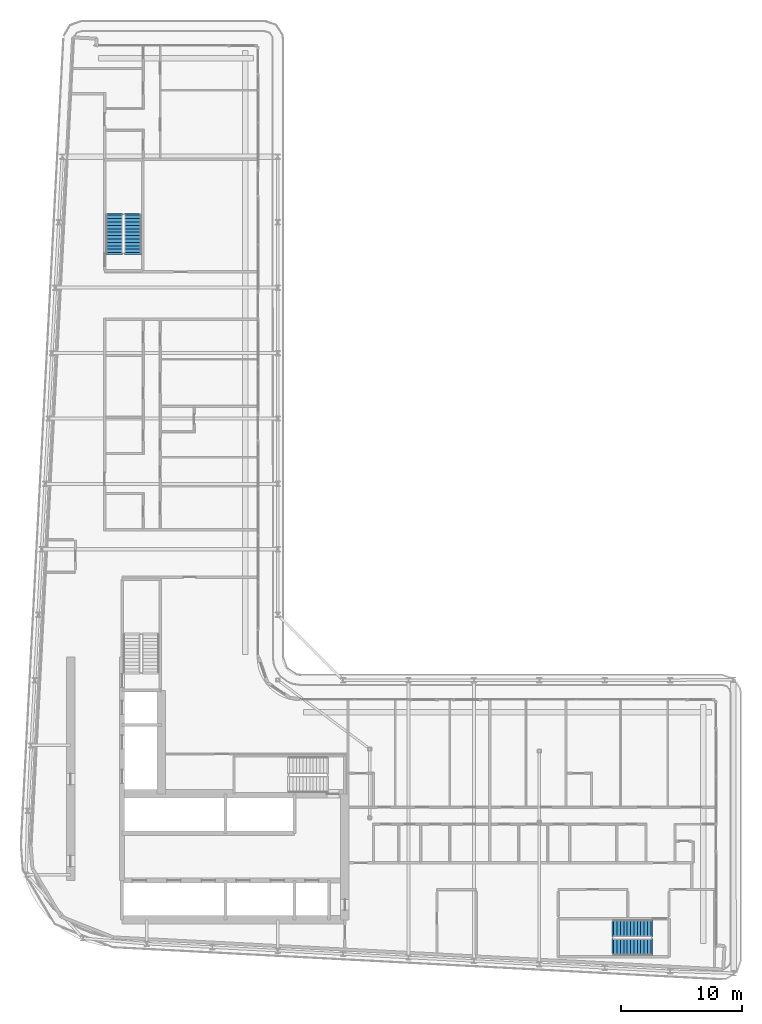
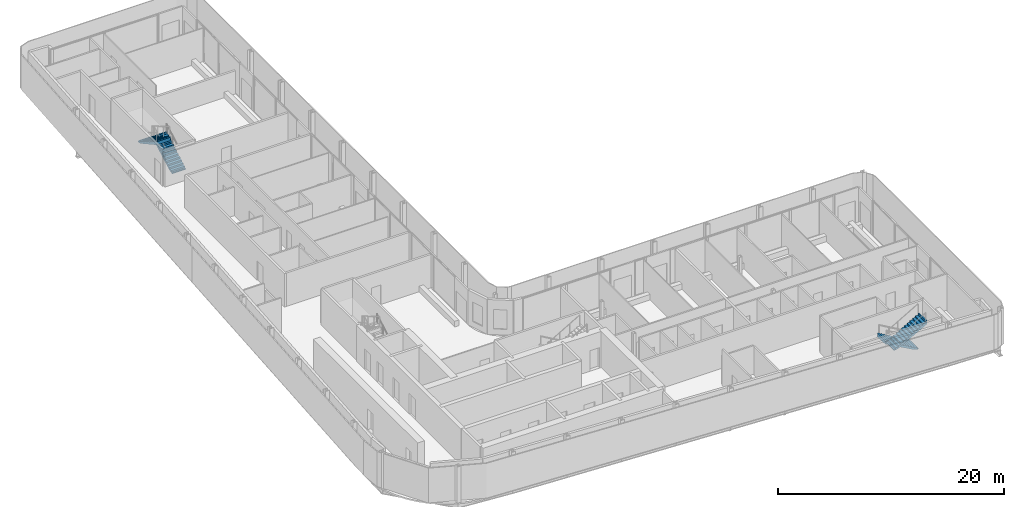
# One storey, part 16 of 23: 4 stair flights, 2 elements without a shape of their own.
"""IFC4 building model written with IfcOpenShell, lengths in metres."""

import ifcopenshell
import ifcopenshell.guid

model = None  # the IFC model being written
_history = None  # IfcOwnerHistory: only IFC2X3 demands one
_inside = {}  # id of a spatial element -> (the spatial element, [elements in it])
_under = {}  # id of a project, library or spatial element -> (it, [spatial elements below it])
_declared = {}  # id of a project -> (the project, [libraries it declares])
_typed = {}  # id of a type object -> (the type object, [elements of that type])
_made_of = {}  # id of a material, layer set ... -> (it, [elements and type objects made of it])


def new_model(schema):
    """Start an empty IFC model of exactly this schema.

    Asked for "IFC4X3", IfcOpenShell would pick the latest addendum, in which some entities
    have other attributes; the version numbers below select the first issue.
    IFC2X3 requires an IfcOwnerHistory on every rooted entity: one is made here for all.
    """
    global model, _history
    if schema == "IFC4X3":
        model = ifcopenshell.file(schema_version=(4, 3, 0, 0))
    else:
        model = ifcopenshell.file(schema=schema)
    _inside.clear()
    _under.clear()
    _declared.clear()
    _typed.clear()
    _made_of.clear()
    _history = None
    if model.schema == "IFC2X3":
        org = make("IfcOrganization", Name="unknown")
        user = make(
            "IfcPersonAndOrganization",
            ThePerson=make("IfcPerson", FamilyName="unknown"),
            TheOrganization=org,
        )
        app = make(
            "IfcApplication",
            ApplicationDeveloper=org,
            Version="unknown",
            ApplicationFullName="unknown",
            ApplicationIdentifier="unknown",
        )
        _history = make(
            "IfcOwnerHistory",
            OwningUser=user,
            OwningApplication=app,
            ChangeAction="ADDED",
            CreationDate=0,
        )
    return model


def make(cls, **values):
    """One entity of the class cls with the attributes given. An attribute that is None is left unset."""
    return model.create_entity(
        cls, **{name: value for name, value in values.items() if value is not None}
    )


def rooted(cls, **values):
    """An entity with a GlobalId (a new one), such as an element, a storey or a relation."""
    return make(cls, GlobalId=ifcopenshell.guid.new(), OwnerHistory=_history, **values)


def si_unit(unit_type, name, prefix=None):
    """IfcSIUnit, for example si_unit("LENGTHUNIT", "METRE", prefix="MILLI")."""
    return make("IfcSIUnit", UnitType=unit_type, Prefix=prefix, Name=name)


def assignment(units):
    """IfcUnitAssignment: the units of a project."""
    return None if units is None else make("IfcUnitAssignment", Units=units)


def point(xyz):
    """IfcCartesianPoint."""
    return None if xyz is None else make("IfcCartesianPoint", Coordinates=xyz)


def direction(xyz):
    """IfcDirection."""
    return None if xyz is None else make("IfcDirection", DirectionRatios=xyz)


def frame(location, z_axis=None, x_axis=None):
    """IfcAxis2Placement3D, a coordinate frame: its origin and axes. An axis left out is left unset."""
    return make(
        "IfcAxis2Placement3D",
        Location=point(location),
        Axis=direction(z_axis),
        RefDirection=direction(x_axis),
    )


def origin():
    """The frame at (0, 0, 0) with its axes left unset."""
    return frame((0.0, 0.0, 0.0))


def place(relative_to, where):
    """IfcLocalPlacement: puts the frame where relative to a parent placement (None: the world)."""
    return make(
        "IfcLocalPlacement", PlacementRelTo=relative_to, RelativePlacement=where
    )


def context(
    kind, dimensions, precision=None, world=None, true_north=None, identifier=None
):
    """IfcGeometricRepresentationContext, for example the 3D "Model" context."""
    return make(
        "IfcGeometricRepresentationContext",
        ContextIdentifier=identifier,
        ContextType=kind,
        CoordinateSpaceDimension=dimensions,
        Precision=precision,
        WorldCoordinateSystem=world,
        TrueNorth=true_north,
    )


def subcontext(parent, identifier, kind, view, scale=None):
    """IfcGeometricRepresentationSubContext, for example "Body" below "Model"."""
    return make(
        "IfcGeometricRepresentationSubContext",
        ContextIdentifier=identifier,
        ContextType=kind,
        ParentContext=parent,
        TargetScale=scale,
        TargetView=view,
    )


def project(units=None, contexts=None):
    """IfcProject with its units and contexts."""
    return rooted(
        "IfcProject",
        Name="project",
        RepresentationContexts=contexts,
        UnitsInContext=assignment(units),
    )


def spatial(cls, under=None, at=None, **own):
    """A site, building, storey or space (cls), placed at a placement, below another one or the project."""
    s = rooted(cls, ObjectPlacement=at, **own)
    if under is not None:
        _under.setdefault(under.id(), (under, []))[1].append(s)
    return s


def polyline(points):
    """IfcPolyline through the points."""
    return make("IfcPolyline", Points=[point(p) for p in points])


def outline(outer, holes=None, kind="AREA"):
    """IfcArbitraryClosedProfileDef: a profile drawn as a closed curve; with holes, ...WithVoids."""
    if holes is None:
        return make("IfcArbitraryClosedProfileDef", ProfileType=kind, OuterCurve=outer)
    return make(
        "IfcArbitraryProfileDefWithVoids",
        ProfileType=kind,
        OuterCurve=outer,
        InnerCurves=holes,
    )


def extrude(swept, where, along, depth):
    """IfcExtrudedAreaSolid: the profile swept, set in the frame where, extruded along a direction by depth."""
    return make(
        "IfcExtrudedAreaSolid",
        SweptArea=swept,
        Position=where,
        ExtrudedDirection=direction(along),
        Depth=depth,
    )


def shape(context_of_items, identifier, shape_type, items):
    """IfcShapeRepresentation: the items that make up one representation, for example the "Body"."""
    return make(
        "IfcShapeRepresentation",
        ContextOfItems=context_of_items,
        RepresentationIdentifier=identifier,
        RepresentationType=shape_type,
        Items=items,
    )


def material(Name=None, Category=None):
    """IfcMaterial."""
    return make("IfcMaterial", Name=Name, Category=Category)


def layer(
    of_material, thickness, ventilated=None, Name=None, Category=None, Priority=None
):
    """IfcMaterialLayer: one layer of a wall or slab, of a material (None: an air gap)."""
    return make(
        "IfcMaterialLayer",
        Material=of_material,
        LayerThickness=thickness,
        IsVentilated=ventilated,
        Name=Name,
        Category=Category,
        Priority=Priority,
    )


def layer_set(layers, Name=None):
    """IfcMaterialLayerSet."""
    return make("IfcMaterialLayerSet", MaterialLayers=layers, LayerSetName=Name)


def made_of(thing, what):
    """Note that an element or type object is made of a material, layer set ...; save() writes the relation."""
    if what is not None:
        _made_of.setdefault(what.id(), (what, []))[1].append(thing)
    return thing


def type_object(cls, material=None, **own):
    """A type object (cls), such as IfcWallType, which elements share."""
    return made_of(rooted(cls, **own), material)


def element(
    cls,
    number,
    at=None,
    inside=None,
    cuts=None,
    type_object=None,
    material=None,
    context=None,
    identifier="Body",
    shape_type=None,
    held_by="IfcProductDefinitionShape",
    body=None,
    shapes=None,
    **own,
):
    """One element of the class cls, such as IfcWall. Its Tag is "e" and its number.

    at: its placement. inside: the storey or other place that contains it. cuts: it is an
    opening in that element (IfcRelVoidsElement). A single representation is given by context,
    identifier, shape_type and body (its items); several are given by shapes. held_by: the class
    of the entity that holds the representations. save() writes the other relations.
    """
    e = rooted(cls, Tag="e%d" % number, ObjectPlacement=at, **own)
    if body is not None:
        shapes = [shape(context, identifier, shape_type, body)]
    if shapes is not None:
        e.Representation = make(held_by, Representations=shapes)
    if inside is not None:
        _inside.setdefault(inside.id(), (inside, []))[1].append(e)
    if cuts is not None:
        rooted(
            "IfcRelVoidsElement", RelatingBuildingElement=cuts, RelatedOpeningElement=e
        )
    if type_object is not None:
        _typed.setdefault(type_object.id(), (type_object, []))[1].append(e)
    return made_of(e, material)


def aggregate(whole, parts):
    """IfcRelAggregates: a whole, such as a stair, and the parts it consists of."""
    return rooted("IfcRelAggregates", RelatingObject=whole, RelatedObjects=parts)


def save(model, path):
    """Write the relations noted so far, then the file.

    IfcRelAggregates (storeys below a building ...), IfcRelContainedInSpatialStructure (elements
    in a storey), IfcRelDefinesByType, IfcRelAssociatesMaterial and IfcRelDeclares: one each for
    every whole, place, type object, material and project.
    """
    for whole, parts in _under.values():
        aggregate(whole, parts)
    for where, things in _inside.values():
        rooted(
            "IfcRelContainedInSpatialStructure",
            RelatedElements=things,
            RelatingStructure=where,
        )
    for kind, things in _typed.values():
        rooted("IfcRelDefinesByType", RelatedObjects=things, RelatingType=kind)
    for what, things in _made_of.values():
        rooted("IfcRelAssociatesMaterial", RelatedObjects=things, RelatingMaterial=what)
    for by, libraries in _declared.values():
        rooted("IfcRelDeclares", RelatingContext=by, RelatedDefinitions=libraries)
    model.write(path)


model = new_model("IFC4")

# Units and contexts
model_context = context("Model", 3, precision=1e-05, world=origin(), true_north=direction((0.0, 1.0)))
body_context = subcontext(model_context, "Body", "Model", "MODEL_VIEW")
ifc_project = project(units=[si_unit("LENGTHUNIT", "METRE"), si_unit("AREAUNIT", "SQUARE_METRE"), si_unit("VOLUMEUNIT", "CUBIC_METRE"), si_unit("PLANEANGLEUNIT", "RADIAN"), si_unit("MASSUNIT", "GRAM", prefix="KILO")], contexts=[model_context])

# Site, building, storey
site_placement = place(None, origin())
site = spatial("IfcSite", under=ifc_project, at=site_placement, CompositionType="ELEMENT")
building_placement = place(site_placement, origin())
building = spatial("IfcBuilding", under=site, at=building_placement, Name="Kheshtan School and Residences Tower", CompositionType="ELEMENT")
storey_placement = place(building_placement, frame((0.0, 0.0, 259.10009765625)))
storey = spatial("IfcBuildingStorey", under=building, at=storey_placement, Name="L61", CompositionType="ELEMENT", Elevation=259.10009765625)

# Stair, stair flights
ifc_material = material(Name="Concrete C40/50", Category="concrete")
stair_type = type_object("IfcStairType", Name="Exit stair, half-turn", PredefinedType="HALF_TURN_STAIR", material=ifc_material)
stair_1_placement = place(storey_placement, origin())
stair_1 = element("IfcStair", 1, at=stair_1_placement, inside=storey, type_object=stair_type, Name="L61 Protected Exit Stair ST3", PredefinedType="HALF_TURN_STAIR")
ifc_layer = layer(ifc_material, 0.14990234375)
ifc_layer_set = layer_set([ifc_layer], Name="Stair flight 1400 Concrete C40/50")
stair_flight_type = type_object("IfcStairFlightType", Name="Stair flight 1400 Concrete C40/50", PredefinedType="STRAIGHT", material=ifc_layer_set)
stair_flight_1_placement = place(storey_placement, frame((35.64990234375, 80.89990234375, 0.0), z_axis=(0.0, 0.0, 1.0), x_axis=(0.0, 1.0, 0.0)))
stair_flight_1 = element("IfcStairFlight", 2, at=stair_flight_1_placement, type_object=stair_flight_type, Name="ST3 flight 1", NumberOfRisers=12, NumberOfTreads=11, PredefinedType="STRAIGHT", RiserHeight=0.1625, TreadLength=0.28, context=body_context, shape_type="SweptSolid", body=[
    extrude(outline(polyline([(-0.14990234375, -0.10009765625), (-0.14990234375, 0.0), (0.0, 0.0), (0.0, 0.16259765625), (0.280029296875, 0.16259765625), (0.280029296875, 0.324951171875), (0.56005859375, 0.324951171875), (0.56005859375, 0.487548828125), (0.840087890625, 0.487548828125), (0.840087890625, 0.64990234375), (1.1201171875, 0.64990234375), (1.1201171875, 0.8125), (1.39990234375, 0.8125), (1.39990234375, 0.97509765625), (1.679931640625, 0.97509765625), (1.679931640625, 1.137451171875), (1.9599609375, 1.137451171875), (1.9599609375, 1.300048828125), (2.239990234375, 1.300048828125), (2.239990234375, 1.46240234375), (2.52001953125, 1.46240234375), (2.52001953125, 1.625), (2.800048828125, 1.625), (2.800048828125, 1.78759765625), (3.080078125, 1.78759765625), (3.080078125, 1.949951171875), (3.080078125, 1.969970703125), (3.22998046875, 1.969970703125), (3.22998046875, 1.6142578125), (0.298583984375, 0.0), (-0.14990234375, -0.10009765625)])), frame((0.0, 0.699951171875, 0.0), z_axis=(0.0, -1.0, 0.0), x_axis=(1.0, 0.0, 0.0)), (0.0, 0.0, 1.0), 1.39990234375),
])
stair_flight_2_placement = place(storey_placement, frame((34.10009765625, 83.97998046875, 1.949951171875), z_axis=(0.0, 0.0, 1.0), x_axis=(0.0, -1.0, 0.0)))
stair_flight_2 = element("IfcStairFlight", 3, at=stair_flight_2_placement, type_object=stair_flight_type, Name="ST3 flight 2", NumberOfRisers=12, NumberOfTreads=11, PredefinedType="STRAIGHT", RiserHeight=0.1625, TreadLength=0.28, context=body_context, shape_type="SweptSolid", body=[
    extrude(outline(polyline([(-0.14990234375, -0.10009765625), (-0.14990234375, 0.0), (0.0, 0.0), (0.0, 0.16259765625), (0.280029296875, 0.16259765625), (0.280029296875, 0.324951171875), (0.56005859375, 0.324951171875), (0.56005859375, 0.487548828125), (0.840087890625, 0.487548828125), (0.840087890625, 0.64990234375), (1.1201171875, 0.64990234375), (1.1201171875, 0.8125), (1.39990234375, 0.8125), (1.39990234375, 0.97509765625), (1.679931640625, 0.97509765625), (1.679931640625, 1.137451171875), (1.9599609375, 1.137451171875), (1.9599609375, 1.300048828125), (2.239990234375, 1.300048828125), (2.239990234375, 1.46240234375), (2.52001953125, 1.46240234375), (2.52001953125, 1.625), (2.800048828125, 1.625), (2.800048828125, 1.78759765625), (3.080078125, 1.78759765625), (3.080078125, 1.949951171875), (3.080078125, 1.969970703125), (3.22998046875, 1.969970703125), (3.22998046875, 1.6142578125), (0.298583984375, 0.0), (-0.14990234375, -0.10009765625)])), frame((0.0, 0.699951171875, 0.0), z_axis=(0.0, -1.0, 0.0), x_axis=(1.0, 0.0, 0.0)), (0.0, 0.0, 1.0), 1.39990234375),
])
aggregate(stair_1, [stair_flight_1, stair_flight_2])

stair_2_placement = place(storey_placement, origin())
stair_2 = element("IfcStair", 4, at=stair_2_placement, inside=storey, type_object=stair_type, Name="L61 Protected Exit Stair ST5", PredefinedType="HALF_TURN_STAIR")
stair_flight_3_placement = place(storey_placement, frame((78.409912109375, 25.10009765625, 0.0), z_axis=(0.0, 0.0, 1.0), x_axis=(-1.0, 0.0, 0.0)))
stair_flight_3 = element("IfcStairFlight", 5, at=stair_flight_3_placement, type_object=stair_flight_type, Name="ST5 flight 1", NumberOfRisers=12, NumberOfTreads=11, PredefinedType="STRAIGHT", RiserHeight=0.1625, TreadLength=0.28, context=body_context, shape_type="SweptSolid", body=[
    extrude(outline(polyline([(-0.14990234375, -0.10009765625), (-0.14990234375, 0.0), (0.0, 0.0), (0.0, 0.16259765625), (0.280029296875, 0.16259765625), (0.280029296875, 0.324951171875), (0.56005859375, 0.324951171875), (0.56005859375, 0.487548828125), (0.840087890625, 0.487548828125), (0.840087890625, 0.64990234375), (1.1201171875, 0.64990234375), (1.1201171875, 0.8125), (1.39990234375, 0.8125), (1.39990234375, 0.97509765625), (1.679931640625, 0.97509765625), (1.679931640625, 1.137451171875), (1.9599609375, 1.137451171875), (1.9599609375, 1.300048828125), (2.239990234375, 1.300048828125), (2.239990234375, 1.46240234375), (2.52001953125, 1.46240234375), (2.52001953125, 1.625), (2.800048828125, 1.625), (2.800048828125, 1.78759765625), (3.080078125, 1.78759765625), (3.080078125, 1.949951171875), (3.080078125, 1.969970703125), (3.22998046875, 1.969970703125), (3.22998046875, 1.6142578125), (0.298583984375, 0.0), (-0.14990234375, -0.10009765625)])), frame((0.0, 0.699951171875, 0.0), z_axis=(0.0, -1.0, 0.0), x_axis=(1.0, 0.0, 0.0)), (0.0, 0.0, 1.0), 1.39990234375),
])
stair_flight_4_placement = place(storey_placement, frame((75.330078125, 23.550048828125, 1.949951171875), z_axis=(0.0, 0.0, 1.0), x_axis=(1.0, 0.0, 0.0)))
stair_flight_4 = element("IfcStairFlight", 6, at=stair_flight_4_placement, type_object=stair_flight_type, Name="ST5 flight 2", NumberOfRisers=12, NumberOfTreads=11, PredefinedType="STRAIGHT", RiserHeight=0.1625, TreadLength=0.28, context=body_context, shape_type="SweptSolid", body=[
    extrude(outline(polyline([(-0.14990234375, -0.10009765625), (-0.14990234375, 0.0), (0.0, 0.0), (0.0, 0.16259765625), (0.280029296875, 0.16259765625), (0.280029296875, 0.324951171875), (0.56005859375, 0.324951171875), (0.56005859375, 0.487548828125), (0.840087890625, 0.487548828125), (0.840087890625, 0.64990234375), (1.1201171875, 0.64990234375), (1.1201171875, 0.8125), (1.39990234375, 0.8125), (1.39990234375, 0.97509765625), (1.679931640625, 0.97509765625), (1.679931640625, 1.137451171875), (1.9599609375, 1.137451171875), (1.9599609375, 1.300048828125), (2.239990234375, 1.300048828125), (2.239990234375, 1.46240234375), (2.52001953125, 1.46240234375), (2.52001953125, 1.625), (2.800048828125, 1.625), (2.800048828125, 1.78759765625), (3.080078125, 1.78759765625), (3.080078125, 1.949951171875), (3.080078125, 1.969970703125), (3.22998046875, 1.969970703125), (3.22998046875, 1.6142578125), (0.298583984375, 0.0), (-0.14990234375, -0.10009765625)])), frame((0.0, 0.699951171875, 0.0), z_axis=(0.0, -1.0, 0.0), x_axis=(1.0, 0.0, 0.0)), (0.0, 0.0, 1.0), 1.39990234375),
])
aggregate(stair_2, [stair_flight_3, stair_flight_4])

save(model, "model.ifc")
